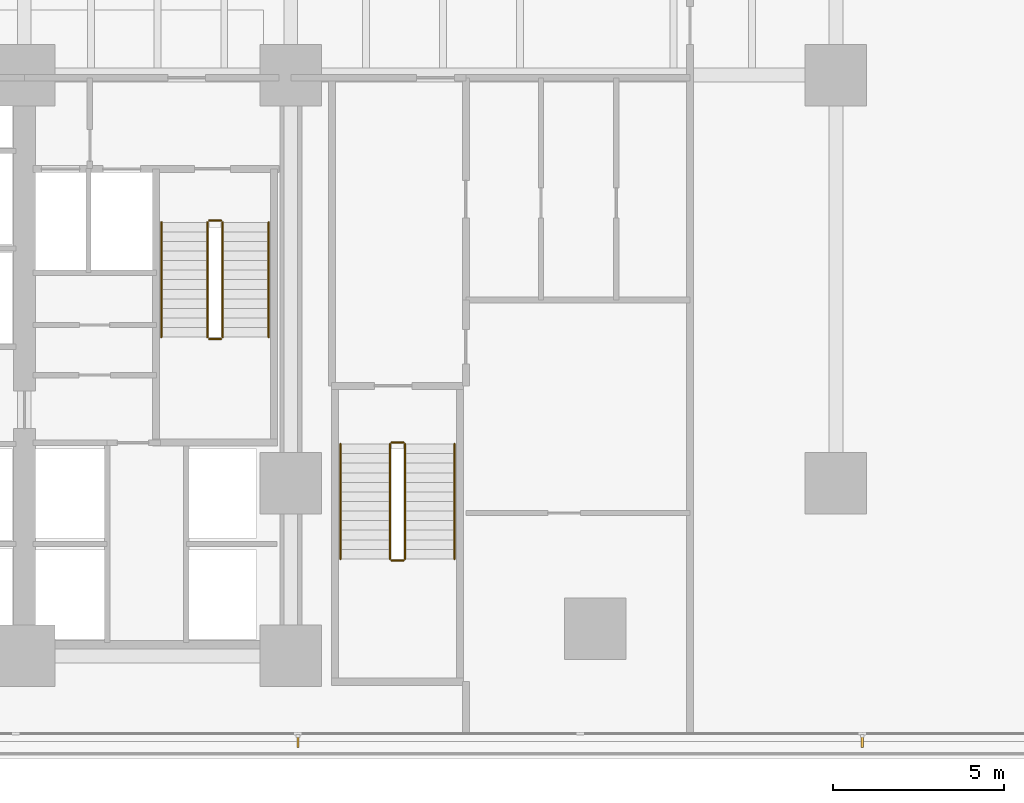
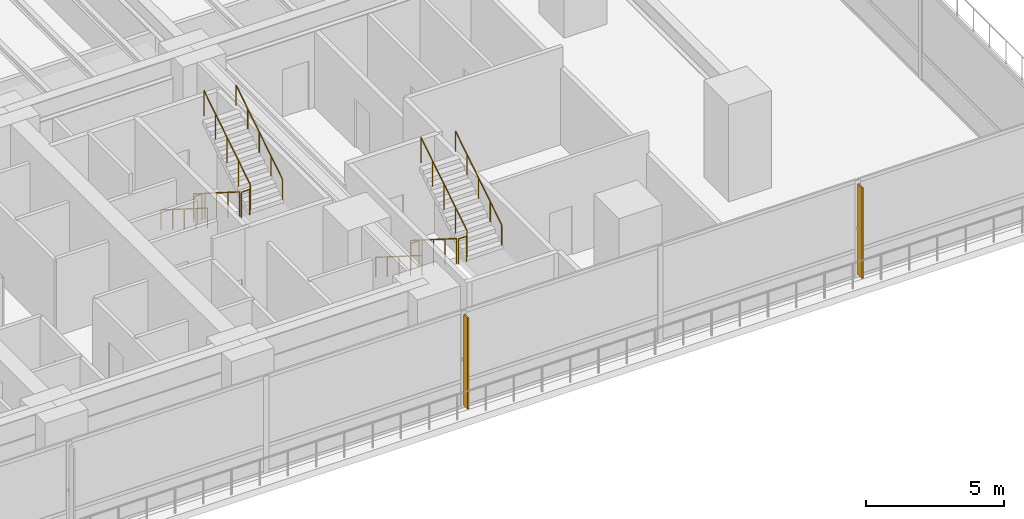
# One storey, part 20 of 24: 12 railings, 2 shading devices.
"""IFC4 building model written with IfcOpenShell, lengths in metres."""

from ifc_helpers import new_model, si_unit, direction, frame, origin, origin_2d, place, context, subcontext, project, spatial, polyline, circle, outline, extrude, material, layer, layer_set, type_object, element, save


model = new_model("IFC4")

# Units and contexts
model_context = context("Model", 3, precision=1e-05, world=origin(), true_north=direction((0.0, 1.0)))
body_context = subcontext(model_context, "Body", "Model", "MODEL_VIEW")
ifc_project = project(units=[si_unit("LENGTHUNIT", "METRE"), si_unit("AREAUNIT", "SQUARE_METRE"), si_unit("VOLUMEUNIT", "CUBIC_METRE"), si_unit("PLANEANGLEUNIT", "RADIAN"), si_unit("MASSUNIT", "GRAM", prefix="KILO")], contexts=[model_context])

# Site, building, storey
site_placement = place(None, origin())
site = spatial("IfcSite", under=ifc_project, at=site_placement, CompositionType="ELEMENT")
building_placement = place(site_placement, origin())
building = spatial("IfcBuilding", under=site, at=building_placement, Name="Qalmaran Belvedere Hotel", CompositionType="ELEMENT")
storey_placement = place(building_placement, frame((0.0, 0.0, 14.60009765625)))
storey = spatial("IfcBuildingStorey", under=building, at=storey_placement, Name="L03", CompositionType="ELEMENT", Elevation=14.60009765625)

# Shading devices
ifc_material_1 = material(Name="Anodised Bronze Aluminium", Category="aluminium")
ifc_layer = layer(ifc_material_1, 0.06494140625, Name="Anodised Bronze Aluminium")
ifc_layer_set = layer_set([ifc_layer], Name="Anodised Bronze Aluminium")
shading_device_type = type_object("IfcShadingDeviceType", Name="FIN-BRNZ-300", PredefinedType="USERDEFINED", material=ifc_layer_set)
shading_device_1_placement = place(storey_placement, frame((0.0, 0.0, 0.159912109375)))
element("IfcShadingDevice", 1, at=shading_device_1_placement, inside=storey, type_object=shading_device_type, Name="L03 Bronze Fin 5", ObjectType="FIN", PredefinedType="USERDEFINED", context=body_context, shape_type="SweptSolid", body=[
    extrude(outline(polyline([(44.97509765625, 1.12744140625), (44.97509765625, 0.827392578125), (45.0400390625, 0.827392578125), (45.0400390625, 1.12744140625), (44.97509765625, 1.12744140625)])), origin(), (0.0, 0.0, 1.0), 4.02001953125),
])
shading_device_2_placement = place(storey_placement, frame((0.0, 0.0, 0.159912109375)))
element("IfcShadingDevice", 2, at=shading_device_2_placement, inside=storey, type_object=shading_device_type, Name="L03 Bronze Fin 7", ObjectType="FIN", PredefinedType="USERDEFINED", context=body_context, shape_type="SweptSolid", body=[
    extrude(outline(polyline([(61.489990234375, 1.12744140625), (61.489990234375, 0.827392578125), (61.554931640625, 0.827392578125), (61.554931640625, 1.12744140625), (61.489990234375, 1.12744140625)])), origin(), (0.0, 0.0, 1.0), 4.02001953125),
])

# Railings
ifc_material_2 = material(Name="Stainless Steel 1.4401", Category="steel")
railing_type_1 = type_object("IfcRailingType", Name="RLG-STAIR-GUARD-1150", PredefinedType="GUARDRAIL", material=ifc_material_2)
railing_1_placement = place(storey_placement, frame((42.360107421875, 16.18994140625, 0.1767578125)))
element("IfcRailing", 3, at=railing_1_placement, inside=storey, type_object=railing_type_1, Name="L03 ST-2 stair guard 1", PredefinedType="GUARDRAIL", context=body_context, shape_type="SweptSolid", body=[
    extrude(circle(Radius=0.02392578125, at=origin_2d()), frame((0.0, 0.0, 1.1259765625), z_axis=(0.0, -0.845372108799, 0.534177870812), x_axis=(1.0, 0.0, 0.0)), (0.0, 0.0, 1.0), 3.974365234375),
    extrude(circle(Radius=0.02099609375, at=origin_2d()), origin(), (0.0, 0.0, 1.0), 1.101806640625),
    extrude(circle(Radius=0.02099609375, at=origin_2d()), frame((0.0, -0.83984375, 0.53076171875)), (0.0, 0.0, 1.0), 1.101806640625),
    extrude(circle(Radius=0.02099609375, at=origin_2d()), frame((0.0, -1.679931640625, 1.0615234375)), (0.0, 0.0, 1.0), 1.101806640625),
    extrude(circle(Radius=0.02099609375, at=origin_2d()), frame((0.0, -2.52001953125, 1.59228515625)), (0.0, 0.0, 1.0), 1.101806640625),
    extrude(circle(Radius=0.02099609375, at=origin_2d()), frame((0.0, -3.35986328125, 2.123046875)), (0.0, 0.0, 1.0), 1.101806640625),
])
railing_2_placement = place(storey_placement, frame((42.409912109375, 12.780029296875, 2.2998046875)))
element("IfcRailing", 4, at=railing_2_placement, inside=storey, type_object=railing_type_1, Name="L03 ST-2 stair guard 2", PredefinedType="GUARDRAIL", context=body_context, shape_type="SweptSolid", body=[
    extrude(circle(Radius=0.02392578125, at=origin_2d()), frame((0.0, 0.0, 1.1259765625), z_axis=(1.0, 0.0, 0.0), x_axis=(0.0, 1.0, 0.0)), (0.0, 0.0, 1.0), 0.340087890625),
    extrude(circle(Radius=0.02099609375, at=origin_2d()), origin(), (0.0, 0.0, 1.0), 1.101806640625),
    extrude(circle(Radius=0.02099609375, at=origin_2d()), frame((0.340087890625, 0.0, 0.0)), (0.0, 0.0, 1.0), 1.101806640625),
])
railing_3_placement = place(storey_placement, frame((42.800048828125, 12.830078125, 2.476806640625)))
element("IfcRailing", 5, at=railing_3_placement, inside=storey, type_object=railing_type_1, Name="L03 ST-2 stair guard 3", PredefinedType="GUARDRAIL", context=body_context, shape_type="SweptSolid", body=[
    extrude(circle(Radius=0.02392578125, at=origin_2d()), frame((0.0, 0.0, 1.1259765625), z_axis=(0.0, 0.845372108799, 0.534177870812), x_axis=(-1.0, 0.0, 0.0)), (0.0, 0.0, 1.0), 3.974365234375),
    extrude(circle(Radius=0.02099609375, at=origin_2d()), origin(), (0.0, 0.0, 1.0), 1.101806640625),
    extrude(circle(Radius=0.02099609375, at=origin_2d()), frame((0.0, 0.83984375, 0.53076171875)), (0.0, 0.0, 1.0), 1.101806640625),
    extrude(circle(Radius=0.02099609375, at=origin_2d()), frame((0.0, 1.679931640625, 1.0615234375)), (0.0, 0.0, 1.0), 1.101806640625),
    extrude(circle(Radius=0.02099609375, at=origin_2d()), frame((0.0, 2.52001953125, 1.59228515625)), (0.0, 0.0, 1.0), 1.101806640625),
    extrude(circle(Radius=0.02099609375, at=origin_2d()), frame((0.0, 3.35986328125, 2.123046875)), (0.0, 0.0, 1.0), 1.101806640625),
])
railing_4_placement = place(storey_placement, frame((42.409912109375, 16.239990234375, 0.0)))
element("IfcRailing", 6, at=railing_4_placement, inside=storey, type_object=railing_type_1, Name="L03 ST-2 stair guard 4", PredefinedType="GUARDRAIL", context=body_context, shape_type="SweptSolid", body=[
    extrude(circle(Radius=0.02392578125, at=origin_2d()), frame((0.0, 0.0, 1.1259765625), z_axis=(1.0, 0.0, 0.0), x_axis=(0.0, 1.0, 0.0)), (0.0, 0.0, 1.0), 0.340087890625),
    extrude(circle(Radius=0.02099609375, at=origin_2d()), origin(), (0.0, 0.0, 1.0), 1.101806640625),
    extrude(circle(Radius=0.02099609375, at=origin_2d()), frame((0.340087890625, 0.0, 0.0)), (0.0, 0.0, 1.0), 1.101806640625),
])
railing_5_placement = place(storey_placement, frame((47.699951171875, 9.699951171875, 0.1767578125)))
element("IfcRailing", 7, at=railing_5_placement, inside=storey, type_object=railing_type_1, Name="L03 ST-P2 stair guard 1", PredefinedType="GUARDRAIL", context=body_context, shape_type="SweptSolid", body=[
    extrude(circle(Radius=0.02392578125, at=origin_2d()), frame((0.0, 0.0, 1.1259765625), z_axis=(0.0, -0.845372108799, 0.534177870812), x_axis=(1.0, 0.0, 0.0)), (0.0, 0.0, 1.0), 3.974365234375),
    extrude(circle(Radius=0.02099609375, at=origin_2d()), origin(), (0.0, 0.0, 1.0), 1.101806640625),
    extrude(circle(Radius=0.02099609375, at=origin_2d()), frame((0.0, -0.83984375, 0.53076171875)), (0.0, 0.0, 1.0), 1.101806640625),
    extrude(circle(Radius=0.02099609375, at=origin_2d()), frame((0.0, -1.679931640625, 1.0615234375)), (0.0, 0.0, 1.0), 1.101806640625),
    extrude(circle(Radius=0.02099609375, at=origin_2d()), frame((0.0, -2.52001953125, 1.59228515625)), (0.0, 0.0, 1.0), 1.101806640625),
    extrude(circle(Radius=0.02099609375, at=origin_2d()), frame((0.0, -3.35986328125, 2.123046875)), (0.0, 0.0, 1.0), 1.101806640625),
])
railing_6_placement = place(storey_placement, frame((47.75, 6.2900390625, 2.2998046875)))
element("IfcRailing", 8, at=railing_6_placement, inside=storey, type_object=railing_type_1, Name="L03 ST-P2 stair guard 2", PredefinedType="GUARDRAIL", context=body_context, shape_type="SweptSolid", body=[
    extrude(circle(Radius=0.02392578125, at=origin_2d()), frame((0.0, 0.0, 1.1259765625), z_axis=(1.0, 0.0, 0.0), x_axis=(0.0, 1.0, 0.0)), (0.0, 0.0, 1.0), 0.340087890625),
    extrude(circle(Radius=0.02099609375, at=origin_2d()), origin(), (0.0, 0.0, 1.0), 1.101806640625),
    extrude(circle(Radius=0.02099609375, at=origin_2d()), frame((0.340087890625, 0.0, 0.0)), (0.0, 0.0, 1.0), 1.101806640625),
])
railing_7_placement = place(storey_placement, frame((48.139892578125, 6.340087890625, 2.476806640625)))
element("IfcRailing", 9, at=railing_7_placement, inside=storey, type_object=railing_type_1, Name="L03 ST-P2 stair guard 3", PredefinedType="GUARDRAIL", context=body_context, shape_type="SweptSolid", body=[
    extrude(circle(Radius=0.02392578125, at=origin_2d()), frame((0.0, 0.0, 1.1259765625), z_axis=(0.0, 0.845372108799, 0.534177870812), x_axis=(-1.0, 0.0, 0.0)), (0.0, 0.0, 1.0), 3.974365234375),
    extrude(circle(Radius=0.02099609375, at=origin_2d()), origin(), (0.0, 0.0, 1.0), 1.101806640625),
    extrude(circle(Radius=0.02099609375, at=origin_2d()), frame((0.0, 0.83984375, 0.53076171875)), (0.0, 0.0, 1.0), 1.101806640625),
    extrude(circle(Radius=0.02099609375, at=origin_2d()), frame((0.0, 1.679931640625, 1.0615234375)), (0.0, 0.0, 1.0), 1.101806640625),
    extrude(circle(Radius=0.02099609375, at=origin_2d()), frame((0.0, 2.52001953125, 1.59228515625)), (0.0, 0.0, 1.0), 1.101806640625),
    extrude(circle(Radius=0.02099609375, at=origin_2d()), frame((0.0, 3.35986328125, 2.123046875)), (0.0, 0.0, 1.0), 1.101806640625),
])
railing_8_placement = place(storey_placement, frame((47.75, 9.75, 0.0)))
element("IfcRailing", 10, at=railing_8_placement, inside=storey, type_object=railing_type_1, Name="L03 ST-P2 stair guard 4", PredefinedType="GUARDRAIL", context=body_context, shape_type="SweptSolid", body=[
    extrude(circle(Radius=0.02392578125, at=origin_2d()), frame((0.0, 0.0, 1.1259765625), z_axis=(1.0, 0.0, 0.0), x_axis=(0.0, 1.0, 0.0)), (0.0, 0.0, 1.0), 0.340087890625),
    extrude(circle(Radius=0.02099609375, at=origin_2d()), origin(), (0.0, 0.0, 1.0), 1.101806640625),
    extrude(circle(Radius=0.02099609375, at=origin_2d()), frame((0.340087890625, 0.0, 0.0)), (0.0, 0.0, 1.0), 1.101806640625),
])
railing_type_2 = type_object("IfcRailingType", Name="RLG-STAIR-HAND-910", PredefinedType="HANDRAIL", material=ifc_material_2)
railing_9_placement = place(storey_placement, frame((41.010009765625, 16.18994140625, 0.1767578125)))
element("IfcRailing", 11, at=railing_9_placement, inside=storey, type_object=railing_type_2, Name="L03 ST-2 stair handrail 1", PredefinedType="HANDRAIL", context=body_context, shape_type="SweptSolid", body=[
    extrude(circle(Radius=0.02392578125, at=origin_2d()), frame((0.0, 0.0, 0.8857421875), z_axis=(0.0, -0.845372108799, 0.534177870812), x_axis=(1.0, 0.0, 0.0)), (0.0, 0.0, 1.0), 3.974365234375),
    extrude(circle(Radius=0.02099609375, at=origin_2d()), origin(), (0.0, 0.0, 1.0), 0.86181640625),
    extrude(circle(Radius=0.02099609375, at=origin_2d()), frame((0.0, -0.83984375, 0.53076171875)), (0.0, 0.0, 1.0), 0.86181640625),
    extrude(circle(Radius=0.02099609375, at=origin_2d()), frame((0.0, -1.679931640625, 1.0615234375)), (0.0, 0.0, 1.0), 0.86181640625),
    extrude(circle(Radius=0.02099609375, at=origin_2d()), frame((0.0, -2.52001953125, 1.59228515625)), (0.0, 0.0, 1.0), 0.86181640625),
    extrude(circle(Radius=0.02099609375, at=origin_2d()), frame((0.0, -3.35986328125, 2.123046875)), (0.0, 0.0, 1.0), 0.86181640625),
])
railing_10_placement = place(storey_placement, frame((44.14990234375, 12.830078125, 2.476806640625)))
element("IfcRailing", 12, at=railing_10_placement, inside=storey, type_object=railing_type_2, Name="L03 ST-2 stair handrail 2", PredefinedType="HANDRAIL", context=body_context, shape_type="SweptSolid", body=[
    extrude(circle(Radius=0.02392578125, at=origin_2d()), frame((0.0, 0.0, 0.8857421875), z_axis=(0.0, 0.845372108799, 0.534177870812), x_axis=(-1.0, 0.0, 0.0)), (0.0, 0.0, 1.0), 3.974365234375),
    extrude(circle(Radius=0.02099609375, at=origin_2d()), origin(), (0.0, 0.0, 1.0), 0.86181640625),
    extrude(circle(Radius=0.02099609375, at=origin_2d()), frame((0.0, 0.83984375, 0.53076171875)), (0.0, 0.0, 1.0), 0.86181640625),
    extrude(circle(Radius=0.02099609375, at=origin_2d()), frame((0.0, 1.679931640625, 1.0615234375)), (0.0, 0.0, 1.0), 0.86181640625),
    extrude(circle(Radius=0.02099609375, at=origin_2d()), frame((0.0, 2.52001953125, 1.59228515625)), (0.0, 0.0, 1.0), 0.86181640625),
    extrude(circle(Radius=0.02099609375, at=origin_2d()), frame((0.0, 3.35986328125, 2.123046875)), (0.0, 0.0, 1.0), 0.86181640625),
])
railing_11_placement = place(storey_placement, frame((46.25, 9.699951171875, 0.1767578125)))
element("IfcRailing", 13, at=railing_11_placement, inside=storey, type_object=railing_type_2, Name="L03 ST-P2 stair handrail 1", PredefinedType="HANDRAIL", context=body_context, shape_type="SweptSolid", body=[
    extrude(circle(Radius=0.02392578125, at=origin_2d()), frame((0.0, 0.0, 0.8857421875), z_axis=(0.0, -0.845372108799, 0.534177870812), x_axis=(1.0, 0.0, 0.0)), (0.0, 0.0, 1.0), 3.974365234375),
    extrude(circle(Radius=0.02099609375, at=origin_2d()), origin(), (0.0, 0.0, 1.0), 0.86181640625),
    extrude(circle(Radius=0.02099609375, at=origin_2d()), frame((0.0, -0.83984375, 0.53076171875)), (0.0, 0.0, 1.0), 0.86181640625),
    extrude(circle(Radius=0.02099609375, at=origin_2d()), frame((0.0, -1.679931640625, 1.0615234375)), (0.0, 0.0, 1.0), 0.86181640625),
    extrude(circle(Radius=0.02099609375, at=origin_2d()), frame((0.0, -2.52001953125, 1.59228515625)), (0.0, 0.0, 1.0), 0.86181640625),
    extrude(circle(Radius=0.02099609375, at=origin_2d()), frame((0.0, -3.35986328125, 2.123046875)), (0.0, 0.0, 1.0), 0.86181640625),
])
railing_12_placement = place(storey_placement, frame((49.590087890625, 6.340087890625, 2.476806640625)))
element("IfcRailing", 14, at=railing_12_placement, inside=storey, type_object=railing_type_2, Name="L03 ST-P2 stair handrail 2", PredefinedType="HANDRAIL", context=body_context, shape_type="SweptSolid", body=[
    extrude(circle(Radius=0.02392578125, at=origin_2d()), frame((0.0, 0.0, 0.8857421875), z_axis=(0.0, 0.845372108799, 0.534177870812), x_axis=(-1.0, 0.0, 0.0)), (0.0, 0.0, 1.0), 3.974365234375),
    extrude(circle(Radius=0.02099609375, at=origin_2d()), origin(), (0.0, 0.0, 1.0), 0.86181640625),
    extrude(circle(Radius=0.02099609375, at=origin_2d()), frame((0.0, 0.83984375, 0.53076171875)), (0.0, 0.0, 1.0), 0.86181640625),
    extrude(circle(Radius=0.02099609375, at=origin_2d()), frame((0.0, 1.679931640625, 1.0615234375)), (0.0, 0.0, 1.0), 0.86181640625),
    extrude(circle(Radius=0.02099609375, at=origin_2d()), frame((0.0, 2.52001953125, 1.59228515625)), (0.0, 0.0, 1.0), 0.86181640625),
    extrude(circle(Radius=0.02099609375, at=origin_2d()), frame((0.0, 3.35986328125, 2.123046875)), (0.0, 0.0, 1.0), 0.86181640625),
])

save(model, "model.ifc")
